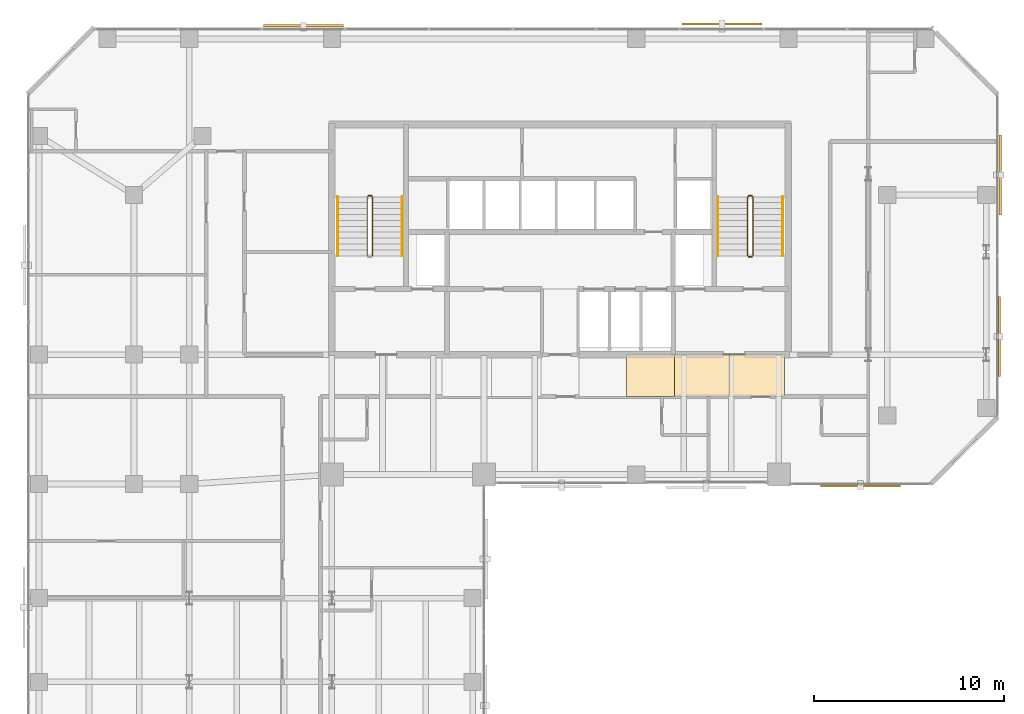
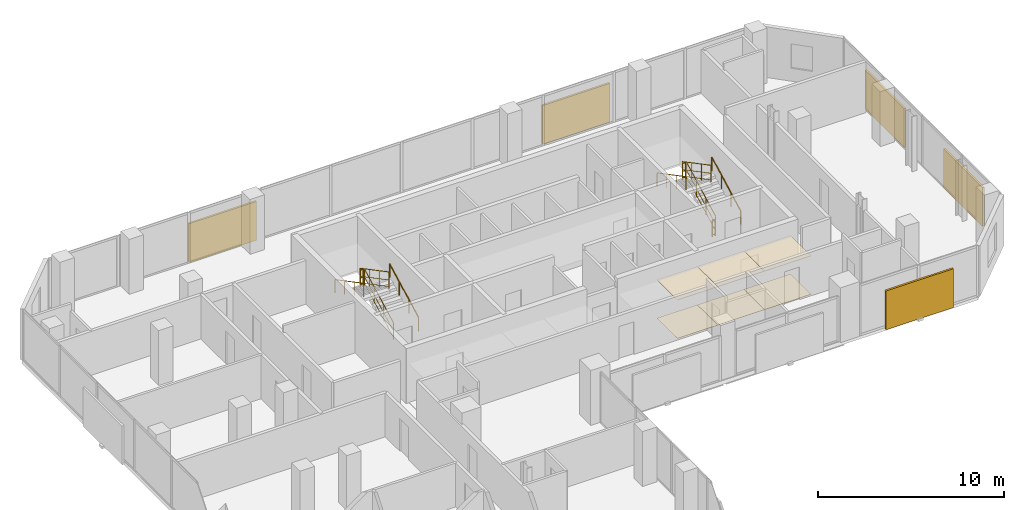
# One storey, part 33 of 33: 11 railings, 6 coverings, 5 shading devices.
"""IFC4 building model written with IfcOpenShell, lengths in metres."""

from ifc_helpers import new_model, si_unit, direction, frame, origin, origin_2d, place, context, subcontext, project, spatial, polyline, rectangle, circle, outline, extrude, material, layer, layer_set, type_object, element, save


model = new_model("IFC4")

# Units and contexts
model_context = context("Model", 3, precision=1e-05, world=origin(), true_north=direction((0.0, 1.0)))
body_context = subcontext(model_context, "Body", "Model", "MODEL_VIEW")
ifc_project = project(units=[si_unit("LENGTHUNIT", "METRE"), si_unit("AREAUNIT", "SQUARE_METRE"), si_unit("VOLUMEUNIT", "CUBIC_METRE"), si_unit("PLANEANGLEUNIT", "RADIAN"), si_unit("MASSUNIT", "GRAM", prefix="KILO")], contexts=[model_context])

# Site, building, storey
site_placement = place(None, origin())
site = spatial("IfcSite", under=ifc_project, at=site_placement, CompositionType="ELEMENT")
building_placement = place(site_placement, origin())
building = spatial("IfcBuilding", under=site, at=building_placement, Name="Catumbela Crestline Tower", CompositionType="ELEMENT")
storey_placement = place(building_placement, frame((0.0, 0.0, 104.4)))
storey = spatial("IfcBuildingStorey", under=building, at=storey_placement, Name="L26", CompositionType="ELEMENT", Elevation=104.4)

# Coverings
ifc_material_1 = material(Name="Mineral-fibre acoustic ceiling")
ifc_layer_1 = layer(ifc_material_1, 0.03, Name="Mineral-fibre acoustic ceiling")
ifc_layer_set_1 = layer_set([ifc_layer_1], Name="Mineral-fibre acoustic ceiling")
covering_type_1 = type_object("IfcCoveringType", Name="CC-AC", PredefinedType="CEILING", material=ifc_layer_set_1)
covering_1_placement = place(storey_placement, frame((0.0, 0.0, 2.52)))
element("IfcCovering", 1, at=covering_1_placement, inside=storey, type_object=covering_type_1, Name="L26 Corridor Acoustic Ceiling Bay 6", PredefinedType="CEILING", context=body_context, shape_type="SweptSolid", body=[
    extrude(outline(polyline([(31.5, 28.6), (34.0, 28.6), (34.0, 30.8), (31.5, 30.8), (31.5, 28.6)])), origin(), (0.0, 0.0, 1.0), 0.03),
])
covering_2_placement = place(storey_placement, frame((0.0, 0.0, 2.52)))
element("IfcCovering", 2, at=covering_2_placement, inside=storey, type_object=covering_type_1, Name="L26 Corridor Acoustic Ceiling Bay 7", PredefinedType="CEILING", context=body_context, shape_type="SweptSolid", body=[
    extrude(outline(polyline([(34.0, 28.6), (36.9, 28.6), (36.9, 30.8), (34.0, 30.8), (34.0, 28.6)])), origin(), (0.0, 0.0, 1.0), 0.03),
])
covering_3_placement = place(storey_placement, frame((0.0, 0.0, 2.52)))
element("IfcCovering", 3, at=covering_3_placement, inside=storey, type_object=covering_type_1, Name="L26 Corridor Acoustic Ceiling Bay 8", PredefinedType="CEILING", context=body_context, shape_type="SweptSolid", body=[
    extrude(outline(polyline([(36.9, 28.6), (39.8, 28.6), (39.8, 30.8), (36.9, 30.8), (36.9, 28.6)])), origin(), (0.0, 0.0, 1.0), 0.03),
])
ifc_material_2 = material(Name="Angolan grey-ochre granite", Category="masonry")
ifc_layer_2 = layer(ifc_material_2, 0.025, Name="Angolan grey-ochre granite")
ifc_layer_set_2 = layer_set([ifc_layer_2], Name="Angolan grey-ochre granite")
covering_type_2 = type_object("IfcCoveringType", Name="CF-GR", PredefinedType="FLOORING", material=ifc_layer_set_2)
covering_4_placement = place(storey_placement, origin())
element("IfcCovering", 4, at=covering_4_placement, inside=storey, type_object=covering_type_2, Name="L26 Corridor Granite Flooring Bay 6", PredefinedType="FLOORING", context=body_context, shape_type="SweptSolid", body=[
    extrude(outline(polyline([(31.5, 28.6), (34.0, 28.6), (34.0, 30.8), (31.5, 30.8), (31.5, 28.6)])), origin(), (0.0, 0.0, 1.0), 0.025),
])
covering_5_placement = place(storey_placement, origin())
element("IfcCovering", 5, at=covering_5_placement, inside=storey, type_object=covering_type_2, Name="L26 Corridor Granite Flooring Bay 7", PredefinedType="FLOORING", context=body_context, shape_type="SweptSolid", body=[
    extrude(outline(polyline([(34.0, 28.6), (36.9, 28.6), (36.9, 30.8), (34.0, 30.8), (34.0, 28.6)])), origin(), (0.0, 0.0, 1.0), 0.025),
])
covering_6_placement = place(storey_placement, origin())
element("IfcCovering", 6, at=covering_6_placement, inside=storey, type_object=covering_type_2, Name="L26 Corridor Granite Flooring Bay 8", PredefinedType="FLOORING", context=body_context, shape_type="SweptSolid", body=[
    extrude(outline(polyline([(36.9, 28.6), (39.8, 28.6), (39.8, 30.8), (36.9, 30.8), (36.9, 28.6)])), origin(), (0.0, 0.0, 1.0), 0.025),
])

# Railings
ifc_material_3 = material(Name="Stainless steel EN 1.4401", Category="steel")
railing_type_1 = type_object("IfcRailingType", Name="RG-1100", PredefinedType="GUARDRAIL", material=ifc_material_3)
railing_1_placement = place(storey_placement, frame((18.14, 36.0, 0.1636)))
element("IfcRailing", 7, at=railing_1_placement, inside=storey, type_object=railing_type_1, Name="L26 ST-01 stair guard 1", PredefinedType="GUARDRAIL", context=body_context, shape_type="SweptSolid", body=[
    extrude(circle(Radius=0.024, at=origin_2d()), frame((0.0, 0.0, 1.076), z_axis=(0.0, 0.884350731049, 0.466823076222), x_axis=(-1.0, 0.0, 0.0)), (0.0, 0.0, 1.0), 3.5054),
    extrude(circle(Radius=0.0156, at=origin_2d()), frame((0.0, 0.0, 0.55), z_axis=(0.0, 0.884350731049, 0.466823076222), x_axis=(-1.0, 0.0, 0.0)), (0.0, 0.0, 1.0), 3.5054),
    extrude(circle(Radius=0.0156, at=origin_2d()), frame((0.0, 0.0, 0.12), z_axis=(0.0, 0.884350731049, 0.466823076222), x_axis=(-1.0, 0.0, 0.0)), (0.0, 0.0, 1.0), 3.5054),
    extrude(circle(Radius=0.021, at=origin_2d()), origin(), (0.0, 0.0, 1.0), 1.052),
    extrude(circle(Radius=0.021, at=origin_2d()), frame((0.0, 1.0333, 0.5455)), (0.0, 0.0, 1.0), 1.052),
    extrude(circle(Radius=0.021, at=origin_2d()), frame((0.0, 2.0667, 1.0909)), (0.0, 0.0, 1.0), 1.052),
    extrude(circle(Radius=0.021, at=origin_2d()), frame((0.0, 3.1, 1.6364)), (0.0, 0.0, 1.0), 1.052),
])
railing_2_placement = place(storey_placement, frame((18.09, 39.15, 1.8)))
element("IfcRailing", 8, at=railing_2_placement, inside=storey, type_object=railing_type_1, Name="L26 ST-01 stair guard 2", PredefinedType="GUARDRAIL", context=body_context, shape_type="SweptSolid", body=[
    extrude(circle(Radius=0.024, at=origin_2d()), frame((0.0, 0.0, 1.076), z_axis=(-1.0, 0.0, 0.0), x_axis=(0.0, -1.0, 0.0)), (0.0, 0.0, 1.0), 0.18),
    extrude(circle(Radius=0.0156, at=origin_2d()), frame((0.0, 0.0, 0.55), z_axis=(-1.0, 0.0, 0.0), x_axis=(0.0, -1.0, 0.0)), (0.0, 0.0, 1.0), 0.18),
    extrude(circle(Radius=0.0156, at=origin_2d()), frame((0.0, 0.0, 0.12), z_axis=(-1.0, 0.0, 0.0), x_axis=(0.0, -1.0, 0.0)), (0.0, 0.0, 1.0), 0.18),
    extrude(circle(Radius=0.021, at=origin_2d()), origin(), (0.0, 0.0, 1.0), 1.052),
    extrude(circle(Radius=0.021, at=origin_2d()), frame((-0.18, 0.0, 0.0)), (0.0, 0.0, 1.0), 1.052),
])
railing_3_placement = place(storey_placement, frame((17.86, 39.1, 1.9636)))
element("IfcRailing", 9, at=railing_3_placement, inside=storey, type_object=railing_type_1, Name="L26 ST-01 stair guard 3", PredefinedType="GUARDRAIL", context=body_context, shape_type="SweptSolid", body=[
    extrude(circle(Radius=0.024, at=origin_2d()), frame((0.0, 0.0, 1.076), z_axis=(0.0, -0.884350731049, 0.466823076222), x_axis=(1.0, 0.0, 0.0)), (0.0, 0.0, 1.0), 3.5054),
    extrude(circle(Radius=0.0156, at=origin_2d()), frame((0.0, 0.0, 0.55), z_axis=(0.0, -0.884350731049, 0.466823076222), x_axis=(1.0, 0.0, 0.0)), (0.0, 0.0, 1.0), 3.5054),
    extrude(circle(Radius=0.0156, at=origin_2d()), frame((0.0, 0.0, 0.12), z_axis=(0.0, -0.884350731049, 0.466823076222), x_axis=(1.0, 0.0, 0.0)), (0.0, 0.0, 1.0), 3.5054),
    extrude(circle(Radius=0.021, at=origin_2d()), origin(), (0.0, 0.0, 1.0), 1.052),
    extrude(circle(Radius=0.021, at=origin_2d()), frame((0.0, -1.0333, 0.5455)), (0.0, 0.0, 1.0), 1.052),
    extrude(circle(Radius=0.021, at=origin_2d()), frame((0.0, -2.0667, 1.0909)), (0.0, 0.0, 1.0), 1.052),
    extrude(circle(Radius=0.021, at=origin_2d()), frame((0.0, -3.1, 1.6364)), (0.0, 0.0, 1.0), 1.052),
])
railing_4_placement = place(storey_placement, frame((38.14, 36.0, 0.1636)))
element("IfcRailing", 10, at=railing_4_placement, inside=storey, type_object=railing_type_1, Name="L26 ST-02 stair guard 1", PredefinedType="GUARDRAIL", context=body_context, shape_type="SweptSolid", body=[
    extrude(circle(Radius=0.024, at=origin_2d()), frame((0.0, 0.0, 1.076), z_axis=(0.0, 0.884350731049, 0.466823076222), x_axis=(-1.0, 0.0, 0.0)), (0.0, 0.0, 1.0), 3.5054),
    extrude(circle(Radius=0.0156, at=origin_2d()), frame((0.0, 0.0, 0.55), z_axis=(0.0, 0.884350731049, 0.466823076222), x_axis=(-1.0, 0.0, 0.0)), (0.0, 0.0, 1.0), 3.5054),
    extrude(circle(Radius=0.0156, at=origin_2d()), frame((0.0, 0.0, 0.12), z_axis=(0.0, 0.884350731049, 0.466823076222), x_axis=(-1.0, 0.0, 0.0)), (0.0, 0.0, 1.0), 3.5054),
    extrude(circle(Radius=0.021, at=origin_2d()), origin(), (0.0, 0.0, 1.0), 1.052),
    extrude(circle(Radius=0.021, at=origin_2d()), frame((0.0, 1.0333, 0.5455)), (0.0, 0.0, 1.0), 1.052),
    extrude(circle(Radius=0.021, at=origin_2d()), frame((0.0, 2.0667, 1.0909)), (0.0, 0.0, 1.0), 1.052),
    extrude(circle(Radius=0.021, at=origin_2d()), frame((0.0, 3.1, 1.6364)), (0.0, 0.0, 1.0), 1.052),
])
railing_5_placement = place(storey_placement, frame((38.09, 39.15, 1.8)))
element("IfcRailing", 11, at=railing_5_placement, inside=storey, type_object=railing_type_1, Name="L26 ST-02 stair guard 2", PredefinedType="GUARDRAIL", context=body_context, shape_type="SweptSolid", body=[
    extrude(circle(Radius=0.024, at=origin_2d()), frame((0.0, 0.0, 1.076), z_axis=(-1.0, 0.0, 0.0), x_axis=(0.0, -1.0, 0.0)), (0.0, 0.0, 1.0), 0.18),
    extrude(circle(Radius=0.0156, at=origin_2d()), frame((0.0, 0.0, 0.55), z_axis=(-1.0, 0.0, 0.0), x_axis=(0.0, -1.0, 0.0)), (0.0, 0.0, 1.0), 0.18),
    extrude(circle(Radius=0.0156, at=origin_2d()), frame((0.0, 0.0, 0.12), z_axis=(-1.0, 0.0, 0.0), x_axis=(0.0, -1.0, 0.0)), (0.0, 0.0, 1.0), 0.18),
    extrude(circle(Radius=0.021, at=origin_2d()), origin(), (0.0, 0.0, 1.0), 1.052),
    extrude(circle(Radius=0.021, at=origin_2d()), frame((-0.18, 0.0, 0.0)), (0.0, 0.0, 1.0), 1.052),
])
railing_6_placement = place(storey_placement, frame((37.86, 39.1, 1.9636)))
element("IfcRailing", 12, at=railing_6_placement, inside=storey, type_object=railing_type_1, Name="L26 ST-02 stair guard 3", PredefinedType="GUARDRAIL", context=body_context, shape_type="SweptSolid", body=[
    extrude(circle(Radius=0.024, at=origin_2d()), frame((0.0, 0.0, 1.076), z_axis=(0.0, -0.884350731049, 0.466823076222), x_axis=(1.0, 0.0, 0.0)), (0.0, 0.0, 1.0), 3.5054),
    extrude(circle(Radius=0.0156, at=origin_2d()), frame((0.0, 0.0, 0.55), z_axis=(0.0, -0.884350731049, 0.466823076222), x_axis=(1.0, 0.0, 0.0)), (0.0, 0.0, 1.0), 3.5054),
    extrude(circle(Radius=0.0156, at=origin_2d()), frame((0.0, 0.0, 0.12), z_axis=(0.0, -0.884350731049, 0.466823076222), x_axis=(1.0, 0.0, 0.0)), (0.0, 0.0, 1.0), 3.5054),
    extrude(circle(Radius=0.021, at=origin_2d()), origin(), (0.0, 0.0, 1.0), 1.052),
    extrude(circle(Radius=0.021, at=origin_2d()), frame((0.0, -1.0333, 0.5455)), (0.0, 0.0, 1.0), 1.052),
    extrude(circle(Radius=0.021, at=origin_2d()), frame((0.0, -2.0667, 1.0909)), (0.0, 0.0, 1.0), 1.052),
    extrude(circle(Radius=0.021, at=origin_2d()), frame((0.0, -3.1, 1.6364)), (0.0, 0.0, 1.0), 1.052),
])
railing_7_placement = place(storey_placement, frame((38.09, 35.95, 0.0)))
element("IfcRailing", 13, at=railing_7_placement, inside=storey, type_object=railing_type_1, Name="L26 ST-02 stair guard 4", PredefinedType="GUARDRAIL", context=body_context, shape_type="SweptSolid", body=[
    extrude(circle(Radius=0.024, at=origin_2d()), frame((0.0, 0.0, 1.076), z_axis=(-1.0, 0.0, 0.0), x_axis=(0.0, -1.0, 0.0)), (0.0, 0.0, 1.0), 0.18),
    extrude(circle(Radius=0.0156, at=origin_2d()), frame((0.0, 0.0, 0.55), z_axis=(-1.0, 0.0, 0.0), x_axis=(0.0, -1.0, 0.0)), (0.0, 0.0, 1.0), 0.18),
    extrude(circle(Radius=0.0156, at=origin_2d()), frame((0.0, 0.0, 0.12), z_axis=(-1.0, 0.0, 0.0), x_axis=(0.0, -1.0, 0.0)), (0.0, 0.0, 1.0), 0.18),
    extrude(circle(Radius=0.021, at=origin_2d()), origin(), (0.0, 0.0, 1.0), 1.052),
    extrude(circle(Radius=0.021, at=origin_2d()), frame((-0.18, 0.0, 0.0)), (0.0, 0.0, 1.0), 1.052),
])
railing_type_2 = type_object("IfcRailingType", Name="RH-0900", PredefinedType="HANDRAIL", material=ifc_material_3)
railing_8_placement = place(storey_placement, frame((19.7, 36.0, 0.1636)))
element("IfcRailing", 14, at=railing_8_placement, inside=storey, type_object=railing_type_2, Name="L26 ST-01 stair handrail 1", PredefinedType="HANDRAIL", context=body_context, shape_type="SweptSolid", body=[
    extrude(circle(Radius=0.024, at=origin_2d()), frame((0.0, 0.0, 0.876), z_axis=(0.0, 0.884350731049, 0.466823076222), x_axis=(-1.0, 0.0, 0.0)), (0.0, 0.0, 1.0), 3.5054),
    extrude(circle(Radius=0.021, at=origin_2d()), origin(), (0.0, 0.0, 1.0), 0.852),
    extrude(circle(Radius=0.021, at=origin_2d()), frame((0.0, 1.0333, 0.5455)), (0.0, 0.0, 1.0), 0.852),
    extrude(circle(Radius=0.021, at=origin_2d()), frame((0.0, 2.0667, 1.0909)), (0.0, 0.0, 1.0), 0.852),
    extrude(circle(Radius=0.021, at=origin_2d()), frame((0.0, 3.1, 1.6364)), (0.0, 0.0, 1.0), 0.852),
])
railing_9_placement = place(storey_placement, frame((16.3, 39.1, 1.9636)))
element("IfcRailing", 15, at=railing_9_placement, inside=storey, type_object=railing_type_2, Name="L26 ST-01 stair handrail 2", PredefinedType="HANDRAIL", context=body_context, shape_type="SweptSolid", body=[
    extrude(circle(Radius=0.024, at=origin_2d()), frame((0.0, 0.0, 0.876), z_axis=(0.0, -0.884350731049, 0.466823076222), x_axis=(1.0, 0.0, 0.0)), (0.0, 0.0, 1.0), 3.5054),
    extrude(circle(Radius=0.021, at=origin_2d()), origin(), (0.0, 0.0, 1.0), 0.852),
    extrude(circle(Radius=0.021, at=origin_2d()), frame((0.0, -1.0333, 0.5455)), (0.0, 0.0, 1.0), 0.852),
    extrude(circle(Radius=0.021, at=origin_2d()), frame((0.0, -2.0667, 1.0909)), (0.0, 0.0, 1.0), 0.852),
    extrude(circle(Radius=0.021, at=origin_2d()), frame((0.0, -3.1, 1.6364)), (0.0, 0.0, 1.0), 0.852),
])
railing_10_placement = place(storey_placement, frame((39.7, 36.0, 0.1636)))
element("IfcRailing", 16, at=railing_10_placement, inside=storey, type_object=railing_type_2, Name="L26 ST-02 stair handrail 1", PredefinedType="HANDRAIL", context=body_context, shape_type="SweptSolid", body=[
    extrude(circle(Radius=0.024, at=origin_2d()), frame((0.0, 0.0, 0.876), z_axis=(0.0, 0.884350731049, 0.466823076222), x_axis=(-1.0, 0.0, 0.0)), (0.0, 0.0, 1.0), 3.5054),
    extrude(circle(Radius=0.021, at=origin_2d()), origin(), (0.0, 0.0, 1.0), 0.852),
    extrude(circle(Radius=0.021, at=origin_2d()), frame((0.0, 1.0333, 0.5455)), (0.0, 0.0, 1.0), 0.852),
    extrude(circle(Radius=0.021, at=origin_2d()), frame((0.0, 2.0667, 1.0909)), (0.0, 0.0, 1.0), 0.852),
    extrude(circle(Radius=0.021, at=origin_2d()), frame((0.0, 3.1, 1.6364)), (0.0, 0.0, 1.0), 0.852),
])
railing_11_placement = place(storey_placement, frame((36.3, 39.1, 1.9636)))
element("IfcRailing", 17, at=railing_11_placement, inside=storey, type_object=railing_type_2, Name="L26 ST-02 stair handrail 2", PredefinedType="HANDRAIL", context=body_context, shape_type="SweptSolid", body=[
    extrude(circle(Radius=0.024, at=origin_2d()), frame((0.0, 0.0, 0.876), z_axis=(0.0, -0.884350731049, 0.466823076222), x_axis=(1.0, 0.0, 0.0)), (0.0, 0.0, 1.0), 3.5054),
    extrude(circle(Radius=0.021, at=origin_2d()), origin(), (0.0, 0.0, 1.0), 0.852),
    extrude(circle(Radius=0.021, at=origin_2d()), frame((0.0, -1.0333, 0.5455)), (0.0, 0.0, 1.0), 0.852),
    extrude(circle(Radius=0.021, at=origin_2d()), frame((0.0, -2.0667, 1.0909)), (0.0, 0.0, 1.0), 0.852),
    extrude(circle(Radius=0.021, at=origin_2d()), frame((0.0, -3.1, 1.6364)), (0.0, 0.0, 1.0), 0.852),
])

# Shading devices
ifc_material_4 = material(Name="Extruded terracotta ceramic", Category="masonry")
shading_device_type_1 = type_object("IfcShadingDeviceType", Name="ST-180", PredefinedType="USERDEFINED", material=ifc_material_4)
for number, where, z_axis, x_axis, name in (
    (18, (43.8, 23.901, -0.1), (0.0, 0.0, 1.0), (1.0, 0.0, 0.0), "L26 Perforated Terracotta Solar Screen 269 (180 mm)"),
    (19, (51.099, 31.75, -0.1), (0.0, 0.0, 1.0), (0.0, 1.0, 0.0), "L26 Perforated Terracotta Solar Screen 270 (180 mm)"),
    (20, (14.5, 48.099, -0.1), (0.0, 0.0, 1.0), (-1.0, 0.0, 0.0), "L26 Perforated Terracotta Solar Screen 273 (180 mm)"),
):
    element("IfcShadingDevice", number, at=place(storey_placement, frame(where, z_axis=z_axis, x_axis=x_axis)), inside=storey, type_object=shading_device_type_1, Name=name, ObjectType="SCREEN", PredefinedType="USERDEFINED", context=body_context, shape_type="SweptSolid", body=[
        extrude(rectangle(XDim=4.2, YDim=0.12, at=origin_2d()), origin(), (0.0, 0.0, 1.0), 2.55),
    ])
shading_device_type_2 = type_object("IfcShadingDeviceType", Name="ST-260", PredefinedType="USERDEFINED", material=ifc_material_4)
shading_device_1_placement = place(storey_placement, frame((51.143, 40.25, -0.1), z_axis=(0.0, 0.0, 1.0), x_axis=(0.0, 1.0, 0.0)))
element("IfcShadingDevice", 21, at=shading_device_1_placement, inside=storey, type_object=shading_device_type_2, Name="L26 Perforated Terracotta Solar Screen 271 (260 mm)", ObjectType="SCREEN", PredefinedType="USERDEFINED", context=body_context, shape_type="SweptSolid", body=[
    extrude(rectangle(XDim=4.2, YDim=0.12, at=origin_2d()), origin(), (0.0, 0.0, 1.0), 2.55),
])
shading_device_type_3 = type_object("IfcShadingDeviceType", Name="ST-340", PredefinedType="USERDEFINED", material=ifc_material_4)
shading_device_2_placement = place(storey_placement, frame((36.5, 48.187, -0.1), z_axis=(0.0, 0.0, 1.0), x_axis=(-1.0, 0.0, 0.0)))
element("IfcShadingDevice", 22, at=shading_device_2_placement, inside=storey, type_object=shading_device_type_3, Name="L26 Perforated Terracotta Solar Screen 272 (340 mm)", ObjectType="SCREEN", PredefinedType="USERDEFINED", context=body_context, shape_type="SweptSolid", body=[
    extrude(rectangle(XDim=4.2, YDim=0.12, at=origin_2d()), origin(), (0.0, 0.0, 1.0), 2.55),
])

save(model, "model.ifc")
